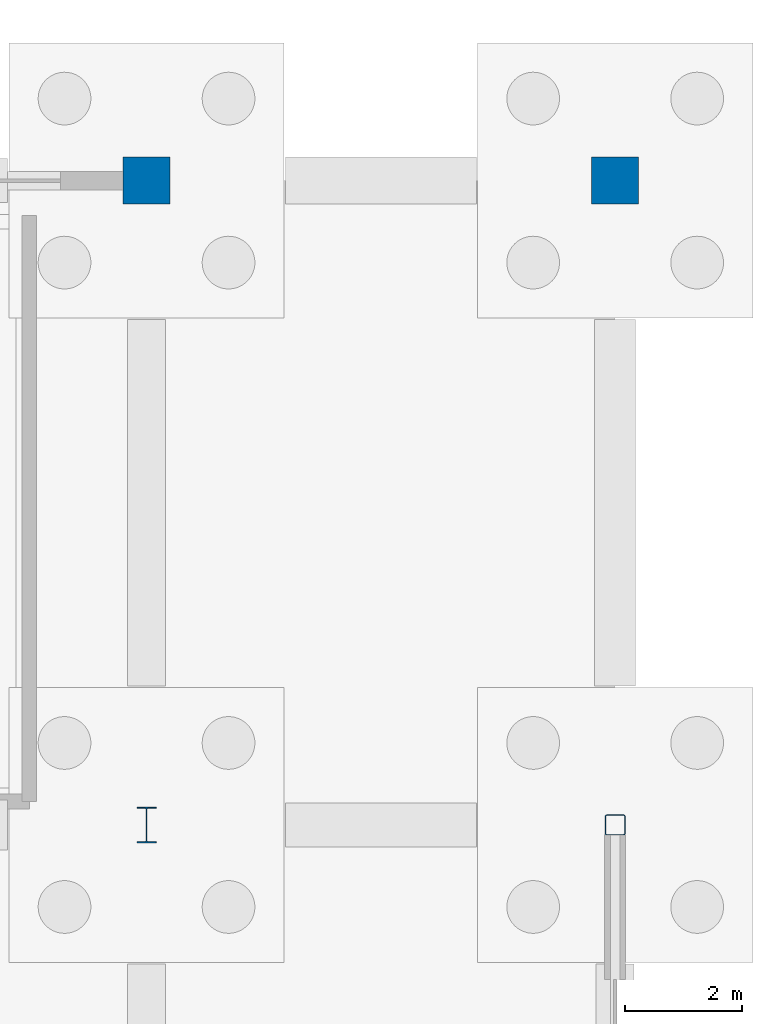
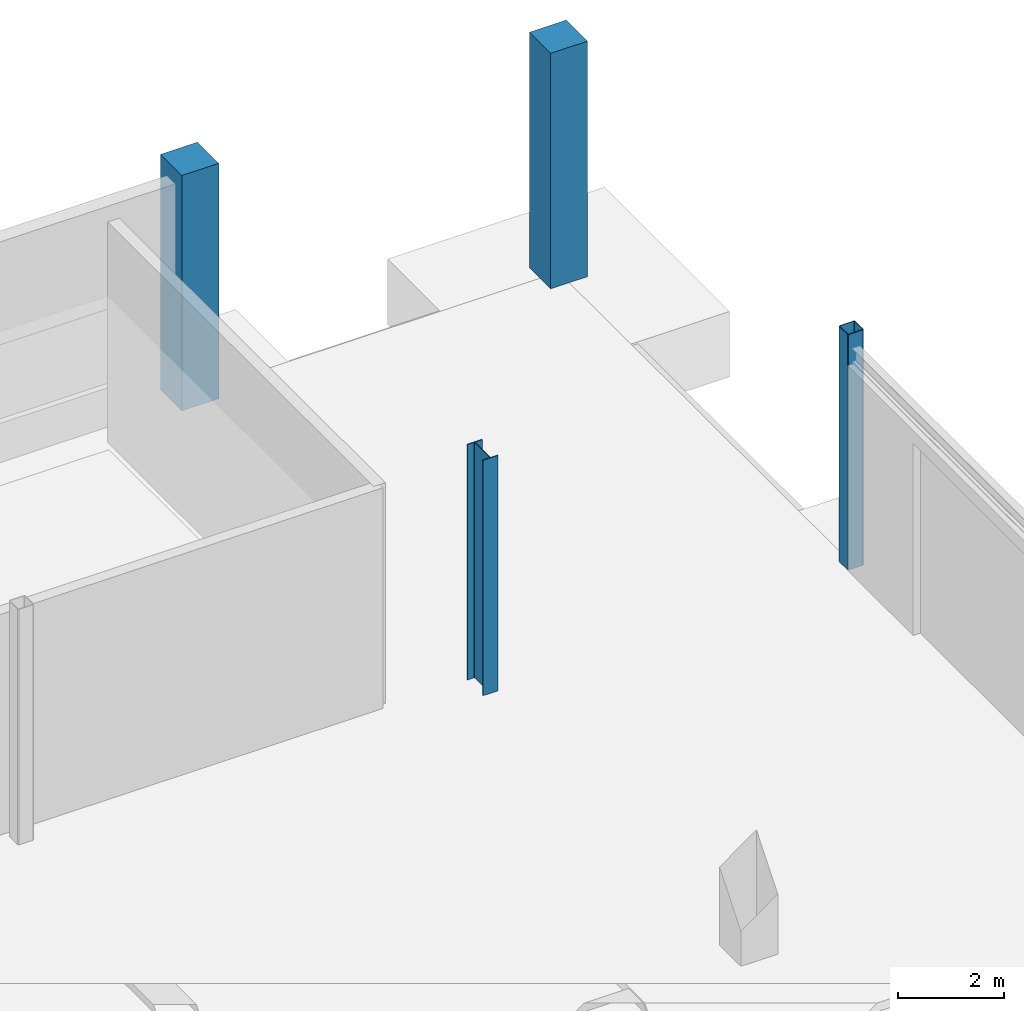
# One storey, part 29 of 70: 4 columns.
"""IFC4 building model written with IfcOpenShell, lengths in metres."""

from ifc_helpers import new_model, si_unit, direction, frame, origin, origin_2d, place, context, subcontext, project, spatial, rectangle, hollow_rectangle, i_section, extrude, material, material_profile, profile_set, type_object, element, save


model = new_model("IFC4")

# Units and contexts
model_context = context("Model", 3, precision=1e-05, world=origin(), true_north=direction((0.0, 1.0)))
body_context = subcontext(model_context, "Body", "Model", "MODEL_VIEW")
ifc_project = project(units=[si_unit("LENGTHUNIT", "METRE"), si_unit("AREAUNIT", "SQUARE_METRE"), si_unit("VOLUMEUNIT", "CUBIC_METRE"), si_unit("PLANEANGLEUNIT", "RADIAN"), si_unit("MASSUNIT", "GRAM", prefix="KILO")], contexts=[model_context])

# Site, building, storey
site_placement = place(None, origin())
site = spatial("IfcSite", under=ifc_project, at=site_placement, CompositionType="ELEMENT")
building_placement = place(site_placement, origin())
building = spatial("IfcBuilding", under=site, at=building_placement, Name="Brinegate Civic Arena", CompositionType="ELEMENT")
storey_placement = place(building_placement, origin())
storey = spatial("IfcBuildingStorey", under=building, at=storey_placement, Name="L00", CompositionType="ELEMENT", Elevation=0.0)

# Columns
ifc_material_1 = material(Name="Concrete C50/60", Category="concrete")
ifc_material_profile_1 = material_profile(ifc_material_1, rectangle(XDim=0.800048828125, YDim=0.800048828125, at=origin_2d()), Name="RC800X800")
ifc_profile_set_1 = profile_set([ifc_material_profile_1], Name="Concrete C50/60")
column_type_1 = type_object("IfcColumnType", Name="COL-CC07-800", PredefinedType="COLUMN", material=ifc_profile_set_1)
for number, where, z_axis, x_axis, name in (
    (1, (200.0, 93.0, 0.0), (0.0, 0.0, 1.0), (1.0, 0.0, 0.0), "Column COL-L00-18-K"),
    (2, (208.0, 93.0, 0.0), (0.0, 0.0, 1.0), (1.0, 0.0, 0.0), "Column COL-L00-19-K"),
):
    element("IfcColumn", number, at=place(storey_placement, frame(where, z_axis=z_axis, x_axis=x_axis)), inside=storey, type_object=column_type_1, Name=name, PredefinedType="COLUMN", context=body_context, shape_type="SweptSolid", body=[
        extrude(rectangle(XDim=0.800048828125, YDim=0.800048828125, at=origin_2d()), origin(), (0.0, 0.0, 1.0), 5.39990234375),
    ])
ifc_material_2 = material(Name="Steel S355", Category="steel")
ifc_material_profile_2 = material_profile(ifc_material_2, i_section(OverallWidth=0.323974609375, OverallDepth=0.611083984375, WebThickness=0.012939453125, FlangeThickness=0.01904296875, FilletRadius=0.01611328125, at=origin_2d()), Name="W610X155")
ifc_profile_set_2 = profile_set([ifc_material_profile_2], Name="Steel S355")
column_type_2 = type_object("IfcColumnType", Name="COL-SC01-W610", PredefinedType="COLUMN", material=ifc_profile_set_2)
column_1_placement = place(storey_placement, frame((200.0, 82.0, 0.0), z_axis=(0.0, 0.0, 1.0), x_axis=(1.0, 0.0, 0.0)))
element("IfcColumn", 3, at=column_1_placement, inside=storey, type_object=column_type_2, Name="Column COL-L00-18-J", PredefinedType="COLUMN", context=body_context, shape_type="SweptSolid", body=[
    extrude(i_section(OverallWidth=0.323974609375, OverallDepth=0.611083984375, WebThickness=0.012939453125, FlangeThickness=0.01904296875, FilletRadius=0.01611328125, at=origin_2d()), origin(), (0.0, 0.0, 1.0), 5.39990234375),
])
ifc_material_profile_3 = material_profile(ifc_material_2, hollow_rectangle(XDim=0.35009765625, YDim=0.35009765625, WallThickness=0.01611328125, InnerFilletRadius=0.01611328125, OuterFilletRadius=0.031982421875, at=origin_2d()), Name="SHS350X16")
ifc_profile_set_3 = profile_set([ifc_material_profile_3], Name="Steel S355")
column_type_3 = type_object("IfcColumnType", Name="COL-SC04-SHS350", PredefinedType="COLUMN", material=ifc_profile_set_3)
column_2_placement = place(storey_placement, frame((208.0, 82.0, 0.0), z_axis=(0.0, 0.0, 1.0), x_axis=(1.0, 0.0, 0.0)))
element("IfcColumn", 4, at=column_2_placement, inside=storey, type_object=column_type_3, Name="Column COL-L00-19-J", PredefinedType="COLUMN", context=body_context, shape_type="SweptSolid", body=[
    extrude(hollow_rectangle(XDim=0.35009765625, YDim=0.35009765625, WallThickness=0.01611328125, InnerFilletRadius=0.01611328125, OuterFilletRadius=0.031982421875, at=origin_2d()), origin(), (0.0, 0.0, 1.0), 5.39990234375),
])

save(model, "model.ifc")
